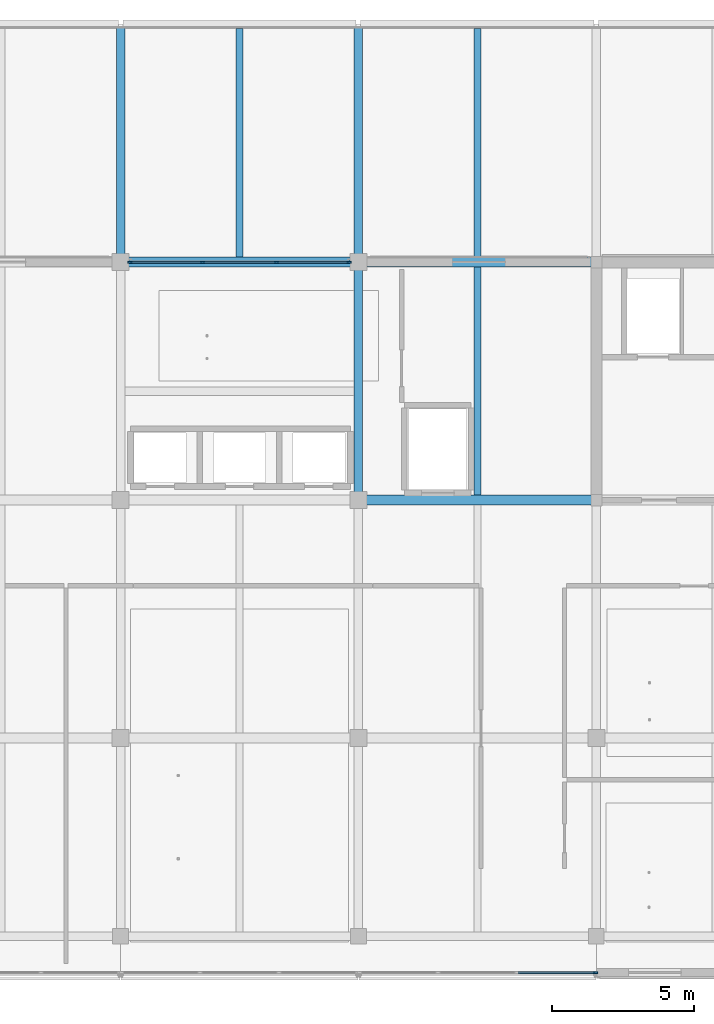
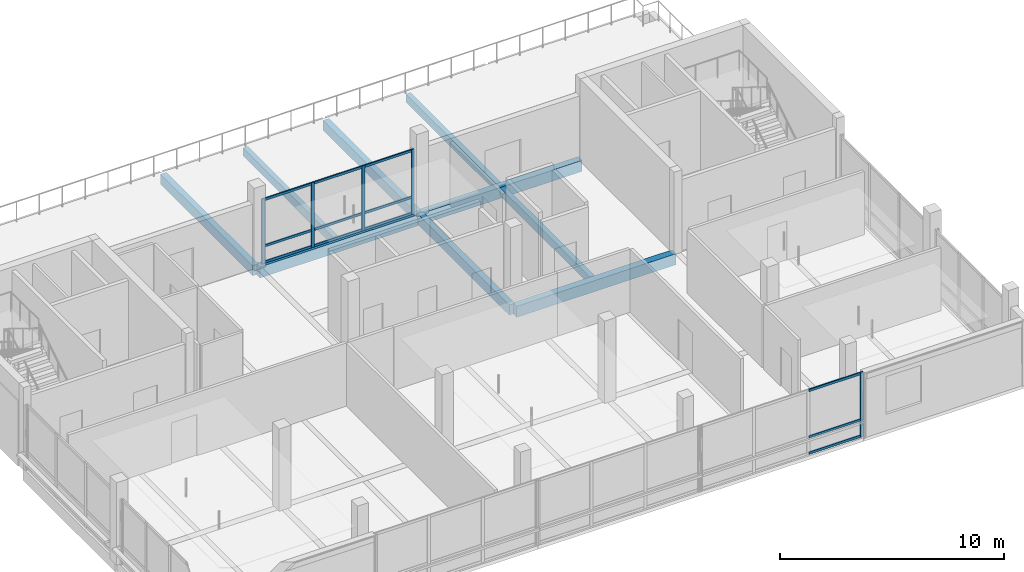
# One storey, part 5 of 25: 17 members, 9 beams, 2 elements without a shape of their own.
"""IFC4 building model written with IfcOpenShell, lengths in metres."""

from ifc_helpers import new_model, si_unit, direction, frame, origin, origin_2d, place, context, subcontext, project, spatial, rectangle, extrude, material, layer, layer_set, material_profile, profile_set, type_object, element, aggregate, save


model = new_model("IFC4")

# Units and contexts
model_context = context("Model", 3, precision=1e-05, world=origin(), true_north=direction((0.0, 1.0)))
body_context = subcontext(model_context, "Body", "Model", "MODEL_VIEW")
ifc_project = project(units=[si_unit("LENGTHUNIT", "METRE"), si_unit("AREAUNIT", "SQUARE_METRE"), si_unit("VOLUMEUNIT", "CUBIC_METRE"), si_unit("PLANEANGLEUNIT", "RADIAN"), si_unit("MASSUNIT", "GRAM", prefix="KILO")], contexts=[model_context])

# Site, building, storey
site_placement = place(None, origin())
site = spatial("IfcSite", under=ifc_project, at=site_placement, CompositionType="ELEMENT")
building_placement = place(site_placement, origin())
building = spatial("IfcBuilding", under=site, at=building_placement, Name="Telukmera Botanical Conservatory", CompositionType="ELEMENT")
storey_placement = place(building_placement, frame((0.0, 0.0, 64.5)))
storey = spatial("IfcBuildingStorey", under=building, at=storey_placement, Name="L14", CompositionType="ELEMENT", Elevation=64.5)

# Beams
ifc_material_1 = material(Name="Concrete C40/50", Category="concrete")
ifc_material_profile_1 = material_profile(ifc_material_1, rectangle(XDim=0.300048828125, YDim=0.550048828125, at=origin_2d()), Name="RC 300x550")
ifc_profile_set_1 = profile_set([ifc_material_profile_1], Name="Concrete C40/50")
beam_type_1 = type_object("IfcBeamType", Name="Beam_B10", PredefinedType="BEAM", material=ifc_profile_set_1)
for number, where, z_axis, x_axis, name in (
    (1, (75.60009765625, 34.47998046875, -0.27490234375), (0.0, 1.0, 0.0), (-1.0, 0.0, 0.0), "Tower Transverse Beam L14"),
    (2, (84.0, 26.080078125, -0.27490234375), (0.0, 1.0, 0.0), (-1.0, 0.0, 0.0), "Tower Transverse Beam L14"),
    (3, (84.0, 34.47998046875, -0.27490234375), (0.0, 1.0, 0.0), (-1.0, 0.0, 0.0), "Tower Transverse Beam L14"),
):
    element("IfcBeam", number, at=place(storey_placement, frame(where, z_axis=z_axis, x_axis=x_axis)), inside=storey, type_object=beam_type_1, Name=name, PredefinedType="BEAM", context=body_context, shape_type="SweptSolid", body=[
        extrude(rectangle(XDim=0.300048828125, YDim=0.550048828125, at=origin_2d()), origin(), (0.0, 0.0, 1.0), 8.239990234375),
    ])
ifc_material_profile_2 = material_profile(ifc_material_1, rectangle(XDim=0.25, YDim=0.449951171875, at=origin_2d()), Name="RC 250x450")
ifc_profile_set_2 = profile_set([ifc_material_profile_2], Name="Concrete C40/50")
beam_type_2 = type_object("IfcBeamType", Name="Beam_B27", PredefinedType="JOIST", material=ifc_profile_set_2)
beam_1_placement = place(storey_placement, frame((79.800048828125, 34.574951171875, -0.22509765625), z_axis=(0.0, 1.0, 0.0), x_axis=(-1.0, 0.0, 0.0)))
element("IfcBeam", 4, at=beam_1_placement, inside=storey, type_object=beam_type_2, Name="Tower Secondary Floor Joist L14", PredefinedType="JOIST", context=body_context, shape_type="SweptSolid", body=[
    extrude(rectangle(XDim=0.25, YDim=0.449951171875, at=origin_2d()), origin(), (0.0, 0.0, 1.0), 8.074951171875),
])
beam_2_placement = place(storey_placement, frame((88.199951171875, 26.175048828125, -0.22509765625), z_axis=(0.0, 1.0, 0.0), x_axis=(-1.0, 0.0, 0.0)))
element("IfcBeam", 5, at=beam_2_placement, inside=storey, type_object=beam_type_2, Name="Tower Secondary Floor Joist L14", PredefinedType="JOIST", context=body_context, shape_type="SweptSolid", body=[
    extrude(rectangle(XDim=0.25, YDim=0.449951171875, at=origin_2d()), origin(), (0.0, 0.0, 1.0), 8.050048828125),
])
beam_3_placement = place(storey_placement, frame((88.199951171875, 34.574951171875, -0.22509765625), z_axis=(0.0, 1.0, 0.0), x_axis=(-1.0, 0.0, 0.0)))
element("IfcBeam", 6, at=beam_3_placement, inside=storey, type_object=beam_type_2, Name="Tower Secondary Floor Joist L14", PredefinedType="JOIST", context=body_context, shape_type="SweptSolid", body=[
    extrude(rectangle(XDim=0.25, YDim=0.449951171875, at=origin_2d()), origin(), (0.0, 0.0, 1.0), 8.074951171875),
])
ifc_material_profile_3 = material_profile(ifc_material_1, rectangle(XDim=0.35009765625, YDim=0.60009765625, at=origin_2d()), Name="RC 350x600")
ifc_profile_set_3 = profile_set([ifc_material_profile_3], Name="Concrete C40/50")
beam_type_3 = type_object("IfcBeamType", Name="Beam_B9", PredefinedType="BEAM", material=ifc_profile_set_3)
for number, where, z_axis, x_axis, name in (
    (7, (84.080078125, 26.0, -0.300048828125), (1.0, 0.0, 0.0), (0.0, 1.0, 0.0), "Tower Grid Beam L14"),
    (8, (75.679931640625, 34.39990234375, -0.300048828125), (1.0, 0.0, 0.0), (0.0, 1.0, 0.0), "Tower Grid Beam L14"),
    (9, (84.080078125, 34.39990234375, -0.300048828125), (1.0, 0.0, 0.0), (0.0, 1.0, 0.0), "Tower Grid Beam L14"),
):
    element("IfcBeam", number, at=place(storey_placement, frame(where, z_axis=z_axis, x_axis=x_axis)), inside=storey, type_object=beam_type_3, Name=name, PredefinedType="BEAM", context=body_context, shape_type="SweptSolid", body=[
        extrude(rectangle(XDim=0.35009765625, YDim=0.60009765625, at=origin_2d()), origin(), (0.0, 0.0, 1.0), 8.239990234375),
    ])

# Curtain wall, member
ifc_material_2 = material(Name="Anodised aluminium 6063-T6", Category="aluminium")
ifc_layer = layer(ifc_material_2, 0.179931640625)
ifc_layer_set = layer_set([ifc_layer], Name="Anodised aluminium 6063-T6")
curtain_wall_type = type_object("IfcCurtainWallType", Name="Tower Sky Gallery Panoramic Curtain Wall", PredefinedType="USERDEFINED", material=ifc_layer_set)
curtain_wall_1_placement = place(storey_placement, origin())
curtain_wall_1 = element("IfcCurtainWall", 10, at=curtain_wall_1_placement, inside=storey, type_object=curtain_wall_type, Name="Unitised Curtain Wall CW16 V4:L14:S4", ObjectType="UNITISED CURTAIN WALL", PredefinedType="USERDEFINED")
ifc_material_profile_4 = material_profile(ifc_material_2, rectangle(XDim=0.06494140625, YDim=0.159912109375, at=origin_2d()), Name="ALU MULL 65x160")
ifc_profile_set_4 = profile_set([ifc_material_profile_4], Name="Anodised aluminium 6063-T6")
member_type_1 = type_object("IfcMemberType", Name="Curtain Wall Extruded Mullion 65x160", PredefinedType="MULLION", material=ifc_profile_set_4)
member_1_placement = place(storey_placement, frame((92.365478515625, 9.320068359375, 0.0), z_axis=(0.0, 0.0, 1.0), x_axis=(0.0, 1.0, 0.0)))
member_1 = element("IfcMember", 11, at=member_1_placement, type_object=member_type_1, Name="CW16 mullion 4", PredefinedType="MULLION", context=body_context, shape_type="SweptSolid", body=[
    extrude(rectangle(XDim=0.06494140625, YDim=0.159912109375, at=origin_2d()), origin(), (0.0, 0.0, 1.0), 3.550048828125),
])

# Curtain wall, members
curtain_wall_2_placement = place(storey_placement, origin())
curtain_wall_2 = element("IfcCurtainWall", 12, at=curtain_wall_2_placement, inside=storey, type_object=curtain_wall_type, Name="Unitised Curtain Wall CW16 V4:L14:N3", ObjectType="UNITISED CURTAIN WALL", PredefinedType="USERDEFINED")
member_2_placement = place(storey_placement, frame((75.9345703125, 34.39990234375, 0.0), z_axis=(0.0, 0.0, 1.0), x_axis=(0.0, 1.0, 0.0)))
member_2 = element("IfcMember", 13, at=member_2_placement, type_object=member_type_1, Name="CW16 mullion 1", PredefinedType="MULLION", context=body_context, shape_type="SweptSolid", body=[
    extrude(rectangle(XDim=0.06494140625, YDim=0.159912109375, at=origin_2d()), origin(), (0.0, 0.0, 1.0), 3.550048828125),
])
member_3_placement = place(storey_placement, frame((78.500732421875, 34.39990234375, 0.0), z_axis=(0.0, 0.0, 1.0), x_axis=(0.0, 1.0, 0.0)))
member_3 = element("IfcMember", 14, at=member_3_placement, type_object=member_type_1, Name="CW16 mullion 2", PredefinedType="MULLION", context=body_context, shape_type="SweptSolid", body=[
    extrude(rectangle(XDim=0.06494140625, YDim=0.159912109375, at=origin_2d()), origin(), (0.0, 0.0, 1.0), 3.550048828125),
])
member_4_placement = place(storey_placement, frame((81.099365234375, 34.39990234375, 0.0), z_axis=(0.0, 0.0, 1.0), x_axis=(0.0, 1.0, 0.0)))
member_4 = element("IfcMember", 15, at=member_4_placement, type_object=member_type_1, Name="CW16 mullion 3", PredefinedType="MULLION", context=body_context, shape_type="SweptSolid", body=[
    extrude(rectangle(XDim=0.06494140625, YDim=0.159912109375, at=origin_2d()), origin(), (0.0, 0.0, 1.0), 3.550048828125),
])
member_5_placement = place(storey_placement, frame((83.66552734375, 34.39990234375, 0.0), z_axis=(0.0, 0.0, 1.0), x_axis=(0.0, 1.0, 0.0)))
member_5 = element("IfcMember", 16, at=member_5_placement, type_object=member_type_1, Name="CW16 mullion 4", PredefinedType="MULLION", context=body_context, shape_type="SweptSolid", body=[
    extrude(rectangle(XDim=0.06494140625, YDim=0.159912109375, at=origin_2d()), origin(), (0.0, 0.0, 1.0), 3.550048828125),
])

# Member
ifc_material_profile_5 = material_profile(ifc_material_2, rectangle(XDim=0.06494140625, YDim=0.1298828125, at=origin_2d()), Name="ALU TRAN 65x130")
ifc_profile_set_5 = profile_set([ifc_material_profile_5], Name="Anodised aluminium 6063-T6")
member_type_2 = type_object("IfcMemberType", Name="Curtain Wall Extruded Transom 65x130", PredefinedType="USERDEFINED", material=ifc_profile_set_5)
member_6_placement = place(storey_placement, frame((89.6318359375, 9.320068359375, 0.06494140625), z_axis=(1.0, 0.0, 0.0), x_axis=(0.0, 1.0, 0.0)))
member_6 = element("IfcMember", 17, at=member_6_placement, type_object=member_type_2, Name="CW16 transom 3.1", ObjectType="TRANSOM", PredefinedType="USERDEFINED", context=body_context, shape_type="SweptSolid", body=[
    extrude(rectangle(XDim=0.06494140625, YDim=0.1298828125, at=origin_2d()), origin(), (0.0, 0.0, 1.0), 2.701171875),
])

member_7_placement = place(storey_placement, frame((89.6318359375, 9.320068359375, 0.949951171875), z_axis=(1.0, 0.0, 0.0), x_axis=(0.0, 1.0, 0.0)))
member_7 = element("IfcMember", 18, at=member_7_placement, type_object=member_type_2, Name="CW16 transom 3.2", ObjectType="TRANSOM", PredefinedType="USERDEFINED", context=body_context, shape_type="SweptSolid", body=[
    extrude(rectangle(XDim=0.06494140625, YDim=0.1298828125, at=origin_2d()), origin(), (0.0, 0.0, 1.0), 2.701171875),
])

member_8_placement = place(storey_placement, frame((89.6318359375, 9.320068359375, 3.485107421875), z_axis=(1.0, 0.0, 0.0), x_axis=(0.0, 1.0, 0.0)))
member_8 = element("IfcMember", 19, at=member_8_placement, type_object=member_type_2, Name="CW16 transom 3.3", ObjectType="TRANSOM", PredefinedType="USERDEFINED", context=body_context, shape_type="SweptSolid", body=[
    extrude(rectangle(XDim=0.06494140625, YDim=0.1298828125, at=origin_2d()), origin(), (0.0, 0.0, 1.0), 2.701171875),
])

aggregate(curtain_wall_1, [member_1, member_6, member_7, member_8])

member_9_placement = place(storey_placement, frame((75.967041015625, 34.39990234375, 0.06494140625), z_axis=(1.0, 0.0, 0.0), x_axis=(0.0, 1.0, 0.0)))
member_9 = element("IfcMember", 20, at=member_9_placement, type_object=member_type_2, Name="CW16 transom 1.1", ObjectType="TRANSOM", PredefinedType="USERDEFINED", context=body_context, shape_type="SweptSolid", body=[
    extrude(rectangle(XDim=0.06494140625, YDim=0.1298828125, at=origin_2d()), origin(), (0.0, 0.0, 1.0), 2.501220703125),
])

member_10_placement = place(storey_placement, frame((75.967041015625, 34.39990234375, 0.949951171875), z_axis=(1.0, 0.0, 0.0), x_axis=(0.0, 1.0, 0.0)))
member_10 = element("IfcMember", 21, at=member_10_placement, type_object=member_type_2, Name="CW16 transom 1.2", ObjectType="TRANSOM", PredefinedType="USERDEFINED", context=body_context, shape_type="SweptSolid", body=[
    extrude(rectangle(XDim=0.06494140625, YDim=0.1298828125, at=origin_2d()), origin(), (0.0, 0.0, 1.0), 2.501220703125),
])

member_11_placement = place(storey_placement, frame((75.967041015625, 34.39990234375, 3.485107421875), z_axis=(1.0, 0.0, 0.0), x_axis=(0.0, 1.0, 0.0)))
member_11 = element("IfcMember", 22, at=member_11_placement, type_object=member_type_2, Name="CW16 transom 1.3", ObjectType="TRANSOM", PredefinedType="USERDEFINED", context=body_context, shape_type="SweptSolid", body=[
    extrude(rectangle(XDim=0.06494140625, YDim=0.1298828125, at=origin_2d()), origin(), (0.0, 0.0, 1.0), 2.501220703125),
])

member_12_placement = place(storey_placement, frame((78.533203125, 34.39990234375, 0.06494140625), z_axis=(1.0, 0.0, 0.0), x_axis=(0.0, 1.0, 0.0)))
member_12 = element("IfcMember", 23, at=member_12_placement, type_object=member_type_2, Name="CW16 transom 2.1", ObjectType="TRANSOM", PredefinedType="USERDEFINED", context=body_context, shape_type="SweptSolid", body=[
    extrude(rectangle(XDim=0.06494140625, YDim=0.1298828125, at=origin_2d()), origin(), (0.0, 0.0, 1.0), 2.53369140625),
])

member_13_placement = place(storey_placement, frame((78.533203125, 34.39990234375, 0.949951171875), z_axis=(1.0, 0.0, 0.0), x_axis=(0.0, 1.0, 0.0)))
member_13 = element("IfcMember", 24, at=member_13_placement, type_object=member_type_2, Name="CW16 transom 2.2", ObjectType="TRANSOM", PredefinedType="USERDEFINED", context=body_context, shape_type="SweptSolid", body=[
    extrude(rectangle(XDim=0.06494140625, YDim=0.1298828125, at=origin_2d()), origin(), (0.0, 0.0, 1.0), 2.53369140625),
])

member_14_placement = place(storey_placement, frame((78.533203125, 34.39990234375, 3.485107421875), z_axis=(1.0, 0.0, 0.0), x_axis=(0.0, 1.0, 0.0)))
member_14 = element("IfcMember", 25, at=member_14_placement, type_object=member_type_2, Name="CW16 transom 2.3", ObjectType="TRANSOM", PredefinedType="USERDEFINED", context=body_context, shape_type="SweptSolid", body=[
    extrude(rectangle(XDim=0.06494140625, YDim=0.1298828125, at=origin_2d()), origin(), (0.0, 0.0, 1.0), 2.53369140625),
])

member_15_placement = place(storey_placement, frame((81.1318359375, 34.39990234375, 0.06494140625), z_axis=(1.0, 0.0, 0.0), x_axis=(0.0, 1.0, 0.0)))
member_15 = element("IfcMember", 26, at=member_15_placement, type_object=member_type_2, Name="CW16 transom 3.1", ObjectType="TRANSOM", PredefinedType="USERDEFINED", context=body_context, shape_type="SweptSolid", body=[
    extrude(rectangle(XDim=0.06494140625, YDim=0.1298828125, at=origin_2d()), origin(), (0.0, 0.0, 1.0), 2.501220703125),
])

member_16_placement = place(storey_placement, frame((81.1318359375, 34.39990234375, 0.949951171875), z_axis=(1.0, 0.0, 0.0), x_axis=(0.0, 1.0, 0.0)))
member_16 = element("IfcMember", 27, at=member_16_placement, type_object=member_type_2, Name="CW16 transom 3.2", ObjectType="TRANSOM", PredefinedType="USERDEFINED", context=body_context, shape_type="SweptSolid", body=[
    extrude(rectangle(XDim=0.06494140625, YDim=0.1298828125, at=origin_2d()), origin(), (0.0, 0.0, 1.0), 2.501220703125),
])

member_17_placement = place(storey_placement, frame((81.1318359375, 34.39990234375, 3.485107421875), z_axis=(1.0, 0.0, 0.0), x_axis=(0.0, 1.0, 0.0)))
member_17 = element("IfcMember", 28, at=member_17_placement, type_object=member_type_2, Name="CW16 transom 3.3", ObjectType="TRANSOM", PredefinedType="USERDEFINED", context=body_context, shape_type="SweptSolid", body=[
    extrude(rectangle(XDim=0.06494140625, YDim=0.1298828125, at=origin_2d()), origin(), (0.0, 0.0, 1.0), 2.501220703125),
])

aggregate(curtain_wall_2, [member_2, member_3, member_4, member_5, member_9, member_10, member_11, member_12, member_13, member_14, member_15, member_16, member_17])

save(model, "model.ifc")
